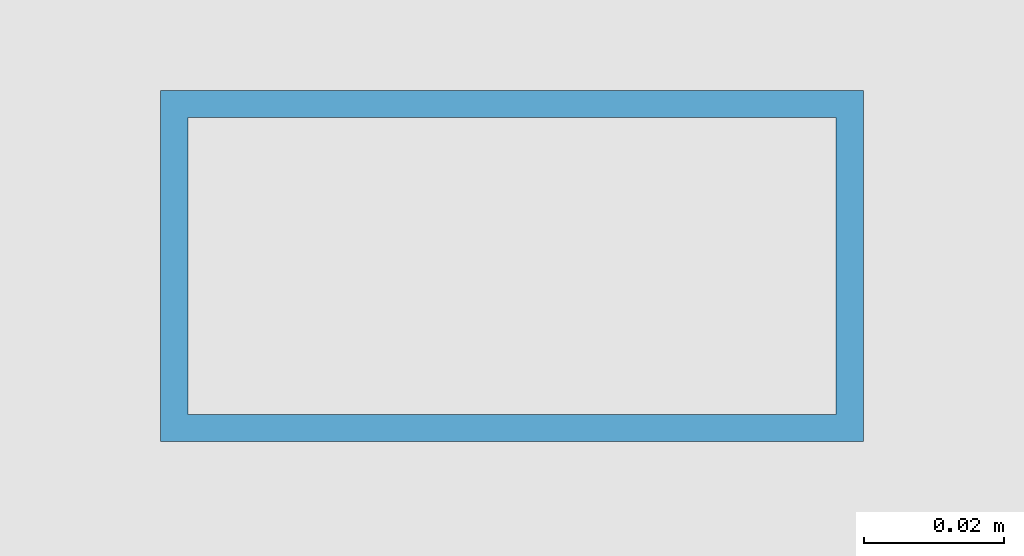
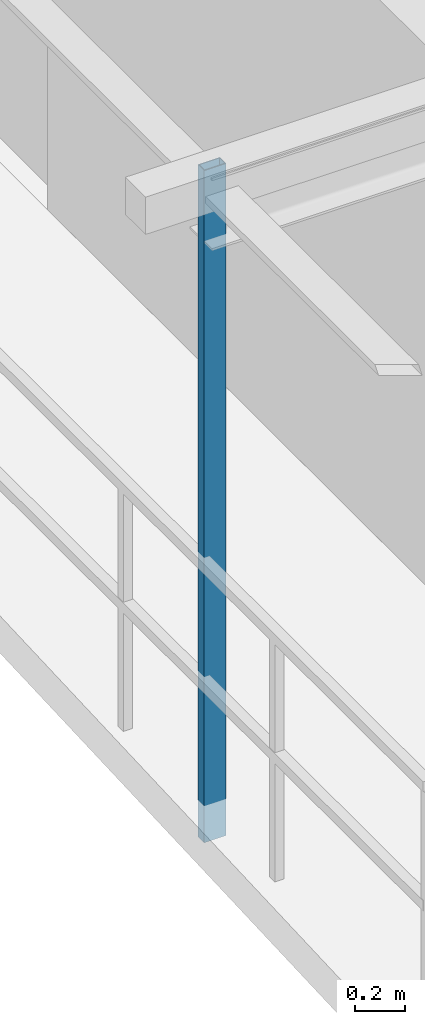
# One storey, part 3 of 16: 1 member.
"""IFC4 building model written with IfcOpenShell, lengths in metres."""

from ifc_helpers import new_model, si_unit, direction, frame, origin, origin_2d, place, context, subcontext, project, spatial, hollow_rectangle, extrude, source, transform, mapped, material, material_profile, profile_set, type_object, element, save


model = new_model("IFC4")

# Units and contexts
model_context = context("Model", 3, precision=1e-05, world=origin(), true_north=direction((0.0, 1.0)))
body_context = subcontext(model_context, "Body", "Model", "MODEL_VIEW")
ifc_project = project(units=[si_unit("LENGTHUNIT", "METRE"), si_unit("AREAUNIT", "SQUARE_METRE"), si_unit("VOLUMEUNIT", "CUBIC_METRE"), si_unit("PLANEANGLEUNIT", "RADIAN"), si_unit("MASSUNIT", "GRAM", prefix="KILO"), si_unit("THERMODYNAMICTEMPERATUREUNIT", "KELVIN"), si_unit("POWERUNIT", "WATT")], contexts=[model_context])

# Site, building, storey
site_placement = place(None, origin())
site = spatial("IfcSite", under=ifc_project, at=site_placement, CompositionType="ELEMENT")
building_placement = place(site_placement, origin())
building = spatial("IfcBuilding", under=site, at=building_placement, Name="Qiaomeng Ring Towers", CompositionType="ELEMENT")
storey_placement = place(building_placement, frame((0.0, 0.0, 223.0)))
storey = spatial("IfcBuildingStorey", under=building, at=storey_placement, Name="L65", CompositionType="ELEMENT", Elevation=223.0)

# Member
ifc_material = material(Name="Stainless steel 316", Category="steel")
ifc_material_profile = material_profile(ifc_material, hollow_rectangle(XDim=0.050048828125, YDim=0.10009765625, WallThickness=0.00390625, at=origin_2d()), Name="SS TRELLIS 100x50")
ifc_profile_set = profile_set([ifc_material_profile], Name="Stainless steel 316")
member_type = type_object("IfcMemberType", Name="ARC-TR-POST2", PredefinedType="STUD", material=ifc_profile_set)
shared_shape = source(origin(), body_context, "Body", "SweptSolid", [
    extrude(hollow_rectangle(XDim=0.050048828125, YDim=0.10009765625, WallThickness=0.00390625, at=origin_2d()), origin(), (0.0, 0.0, 1.0), 3.25),
])
member_placement = place(storey_placement, frame((0.72998046875, 20.0, -0.179931640625), z_axis=(0.0, 0.0, 1.0), x_axis=(0.0, 1.0, 0.0)))
element("IfcMember", 1, at=member_placement, inside=storey, type_object=member_type, Name="L65 Outer Ventilated Trellis Post W", PredefinedType="STUD", context=body_context, shape_type="MappedRepresentation", body=[
    mapped(shared_shape, transform((0.0, 0.0, 0.0), x_axis=(1.0, 0.0, 0.0), y_axis=(0.0, 1.0, 0.0), z_axis=(0.0, 0.0, 1.0), scale=1.0)),
])

save(model, "model.ifc")
